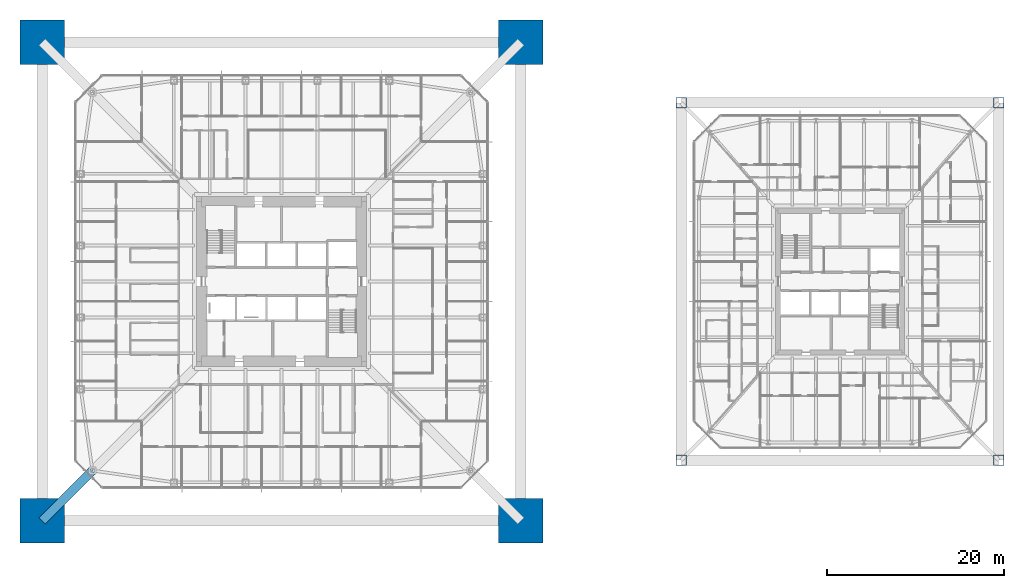
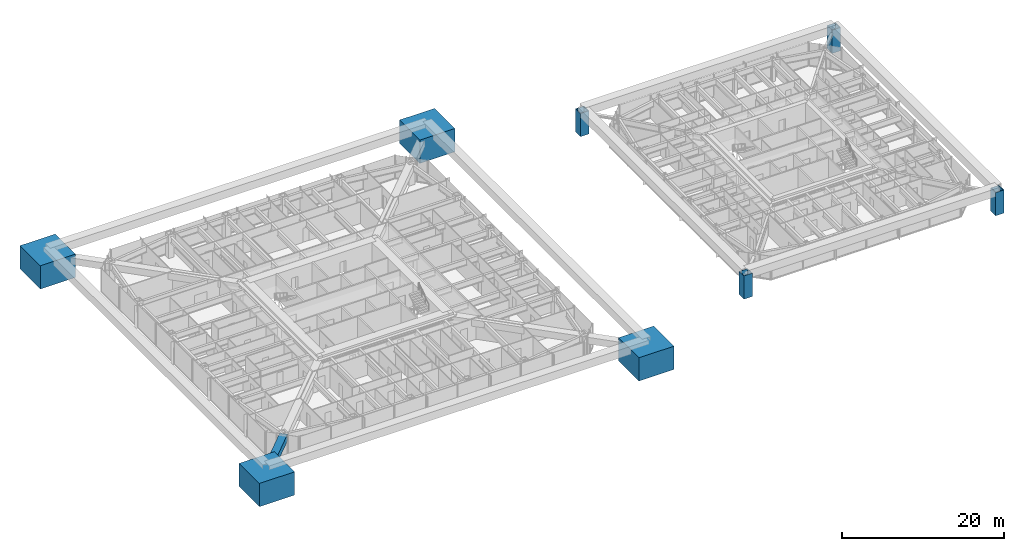
# One storey, part 1 of 32: 8 columns, 1 member.
"""IFC4 building model written with IfcOpenShell, lengths in metres."""

from ifc_helpers import new_model, si_unit, direction, frame, origin, origin_2d, place, context, subcontext, project, spatial, rectangle, hollow_rectangle, i_section, extrude, material, material_profile, profile_set, type_object, element, save


model = new_model("IFC4")

# Units and contexts
model_context = context("Model", 3, precision=1e-05, world=origin(), true_north=direction((0.0, 1.0)))
body_context = subcontext(model_context, "Body", "Model", "MODEL_VIEW")
ifc_project = project(units=[si_unit("LENGTHUNIT", "METRE"), si_unit("AREAUNIT", "SQUARE_METRE"), si_unit("VOLUMEUNIT", "CUBIC_METRE"), si_unit("PLANEANGLEUNIT", "RADIAN"), si_unit("MASSUNIT", "GRAM", prefix="KILO")], contexts=[model_context])

# Site, building, storey
site_placement = place(None, origin())
site = spatial("IfcSite", under=ifc_project, at=site_placement, CompositionType="ELEMENT")
building_placement = place(site_placement, origin())
building = spatial("IfcBuilding", under=site, at=building_placement, Name="Iwan Alto Co-Living Towers", CompositionType="ELEMENT")
storey_placement = place(building_placement, frame((0.0, 0.0, 71.0)))
storey = spatial("IfcBuildingStorey", under=building, at=storey_placement, Name="L19", CompositionType="ELEMENT", Elevation=71.0)

# Columns
ifc_material_1 = material(Name="Concrete f'c 70 MPa", Category="concrete")
ifc_material_profile_1 = material_profile(ifc_material_1, rectangle(XDim=5.0, YDim=5.0, at=origin_2d()), Name="RC 5000X5000")
ifc_profile_set_1 = profile_set([ifc_material_profile_1], Name="Concrete f'c 70 MPa")
column_type_1 = type_object("IfcColumnType", Name="T1 MEGA COLUMN RC 5000X5000", PredefinedType="COLUMN", material=ifc_profile_set_1)
for number, where, z_axis, x_axis, name in (
    (1, (-27.0, -27.0, 0.0), (0.0, 0.0, 1.0), (1.0, 0.0, 0.0), "T1 mega column SW L19"),
    (2, (27.0, -27.0, 0.0), (0.0, 0.0, 1.0), (1.0, 0.0, 0.0), "T1 mega column SE L19"),
    (3, (27.0, 27.0, 0.0), (0.0, 0.0, 1.0), (1.0, 0.0, 0.0), "T1 mega column NE L19"),
    (4, (-27.0, 27.0, 0.0), (0.0, 0.0, 1.0), (1.0, 0.0, 0.0), "T1 mega column NW L19"),
):
    element("IfcColumn", number, at=place(storey_placement, frame(where, z_axis=z_axis, x_axis=x_axis)), inside=storey, type_object=column_type_1, Name=name, PredefinedType="COLUMN", context=body_context, shape_type="SweptSolid", body=[
        extrude(rectangle(XDim=5.0, YDim=5.0, at=origin_2d()), origin(), (0.0, 0.0, 1.0), 3.5),
        extrude(i_section(OverallWidth=0.4775390625, OverallDepth=0.599365234375, WebThickness=0.10009765625, FlangeThickness=0.139892578125, at=origin_2d()), origin(), (0.0, 0.0, 1.0), 3.5),
    ])
ifc_material_2 = material(Name="Steel ASTM A572 Gr 50", Category="steel")
ifc_material_profile_2 = material_profile(ifc_material_2, hollow_rectangle(XDim=1.199951171875, YDim=1.199951171875, WallThickness=0.070068359375, at=origin_2d()), Name="BOX 1200X1200X70")
ifc_profile_set_2 = profile_set([ifc_material_profile_2], Name="Steel ASTM A572 Gr 50")
column_type_2 = type_object("IfcColumnType", Name="T2 MEGA COLUMN BOX 1200X1200X70", PredefinedType="COLUMN", material=ifc_profile_set_2)
for number, where, z_axis, x_axis, name in (
    (5, (45.10009765625, -20.14990234375, 0.0), (0.0, 0.0, 1.0), (1.0, 0.0, 0.0), "T2 mega column SW L19"),
    (6, (80.89990234375, -20.14990234375, 0.0), (0.0, 0.0, 1.0), (1.0, 0.0, 0.0), "T2 mega column SE L19"),
    (7, (80.89990234375, 20.14990234375, 0.0), (0.0, 0.0, 1.0), (1.0, 0.0, 0.0), "T2 mega column NE L19"),
    (8, (45.10009765625, 20.14990234375, 0.0), (0.0, 0.0, 1.0), (1.0, 0.0, 0.0), "T2 mega column NW L19"),
):
    element("IfcColumn", number, at=place(storey_placement, frame(where, z_axis=z_axis, x_axis=x_axis)), inside=storey, type_object=column_type_2, Name=name, PredefinedType="COLUMN", context=body_context, shape_type="SweptSolid", body=[
        extrude(hollow_rectangle(XDim=1.199951171875, YDim=1.199951171875, WallThickness=0.070068359375, at=origin_2d()), origin(), (0.0, 0.0, 1.0), 3.5),
    ])

# Member
ifc_material_3 = material(Name="Steel ASTM A572 Gr 50", Category="steel")
ifc_material_profile_3 = material_profile(ifc_material_3, hollow_rectangle(XDim=1.0, YDim=1.0, WallThickness=0.070068359375, at=origin_2d()), Name="BOX 1000X1000X70")
ifc_profile_set_3 = profile_set([ifc_material_profile_3], Name="Steel ASTM A572 Gr 50")
member_type = type_object("IfcMemberType", Name="T1 OUTRIGGER CHORD BOX 1000X1000X70", PredefinedType="CHORD", material=ifc_profile_set_3)
member_placement = place(storey_placement, frame((-21.32568359375, -21.32568359375, 2.699951171875), z_axis=(-0.707106781187, -0.707106781187, 0.0), x_axis=(0.707106781187, -0.707106781187, 0.0)))
element("IfcMember", 9, at=member_placement, inside=storey, type_object=member_type, Name="T1 outrigger SW L20 bottom chord 2", PredefinedType="CHORD", context=body_context, shape_type="SweptSolid", body=[
    extrude(hollow_rectangle(XDim=1.0, YDim=1.0, WallThickness=0.070068359375, at=origin_2d()), origin(), (0.0, 0.0, 1.0), 8.024658203125),
])

save(model, "model.ifc")
